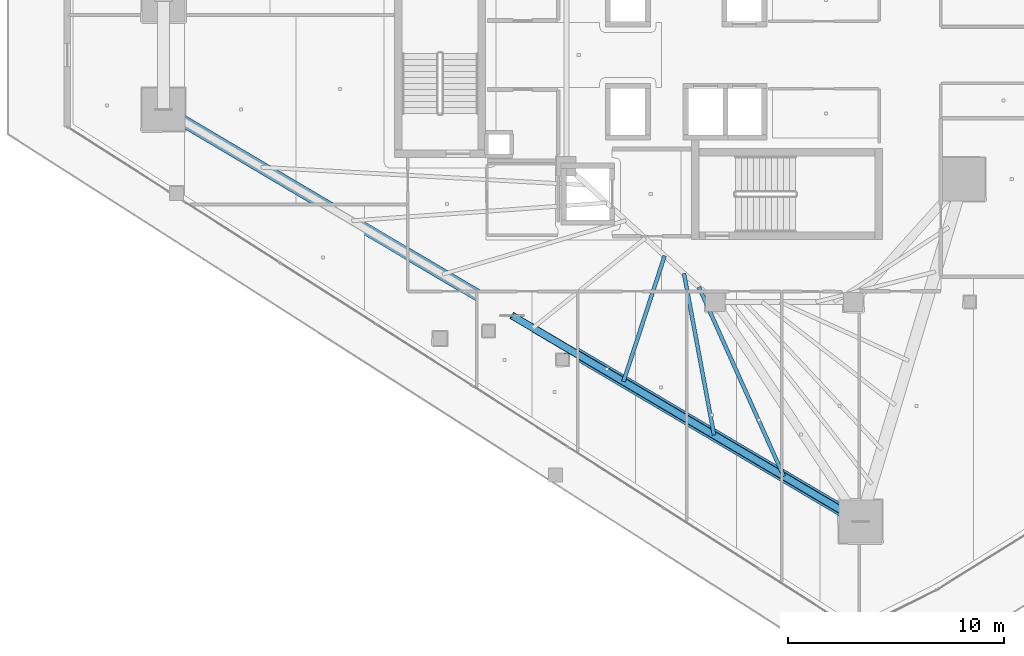
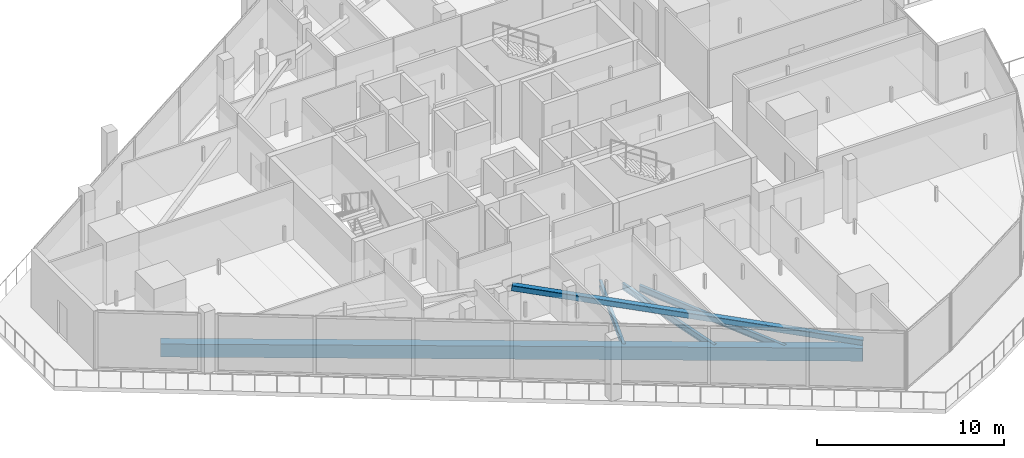
# One storey, part 5 of 43: 4 beams, 1 member.
"""IFC4 building model written with IfcOpenShell, lengths in metres."""

from ifc_helpers import new_model, si_unit, direction, frame, origin, origin_2d, place, context, subcontext, project, spatial, rectangle, hollow_rectangle, i_section, extrude, material, material_profile, profile_set, type_object, element, save


model = new_model("IFC4")

# Units and contexts
model_context = context("Model", 3, precision=1e-05, world=origin(), true_north=direction((0.0, 1.0)))
body_context = subcontext(model_context, "Body", "Model", "MODEL_VIEW")
ifc_project = project(units=[si_unit("LENGTHUNIT", "METRE"), si_unit("AREAUNIT", "SQUARE_METRE"), si_unit("VOLUMEUNIT", "CUBIC_METRE"), si_unit("PLANEANGLEUNIT", "RADIAN"), si_unit("MASSUNIT", "GRAM", prefix="KILO")], contexts=[model_context])

# Site, building, storey
site_placement = place(None, origin())
site = spatial("IfcSite", under=ifc_project, at=site_placement, CompositionType="ELEMENT")
building_placement = place(site_placement, origin())
building = spatial("IfcBuilding", under=site, at=building_placement, Name="Qorvath Tower", CompositionType="ELEMENT")
storey_placement = place(building_placement, frame((0.0, 0.0, 213.14990234375)))
storey = spatial("IfcBuildingStorey", under=building, at=storey_placement, Name="L49", CompositionType="ELEMENT", Elevation=213.14990234375)

# Beams
ifc_material_1 = material(Name="Steel ASTM A992 Grade 50", Category="steel")
ifc_material_profile_1 = material_profile(ifc_material_1, i_section(OverallWidth=0.177978515625, OverallDepth=0.406005859375, WebThickness=0.0078125, FlangeThickness=0.0126953125, FilletRadius=0.010986328125, at=origin_2d()), Name="W16x40")
ifc_profile_set_1 = profile_set([ifc_material_profile_1], Name="Steel ASTM A992 Grade 50")
beam_type_1 = type_object("IfcBeamType", Name="BM-FJ3", PredefinedType="JOIST", material=ifc_profile_set_1)
beam_1_placement = place(storey_placement, frame((-25.946044921875, -9.30810546875, -0.472900390625), z_axis=(-0.311228747452, -0.950335028692, 0.0), x_axis=(0.950335028692, -0.311228747452, 0.0)))
element("IfcBeam", 1, at=beam_1_placement, inside=storey, type_object=beam_type_1, Name="Composite Floor Joist SW5 L49", PredefinedType="JOIST", context=body_context, shape_type="SweptSolid", body=[
    extrude(i_section(OverallWidth=0.177978515625, OverallDepth=0.406005859375, WebThickness=0.0078125, FlangeThickness=0.0126953125, FilletRadius=0.010986328125, at=origin_2d()), origin(), (0.0, 0.0, 1.0), 6.129638671875),
])
beam_2_placement = place(storey_placement, frame((-25.049072265625, -10.126953125, -0.472900390625), z_axis=(0.183026775988, -0.983107928598, 0.0), x_axis=(0.983107928598, 0.183026775988, 0.0)))
element("IfcBeam", 2, at=beam_2_placement, inside=storey, type_object=beam_type_1, Name="Composite Floor Joist SW6 L49", PredefinedType="JOIST", context=body_context, shape_type="SweptSolid", body=[
    extrude(i_section(OverallWidth=0.177978515625, OverallDepth=0.406005859375, WebThickness=0.0078125, FlangeThickness=0.0126953125, FilletRadius=0.010986328125, at=origin_2d()), origin(), (0.0, 0.0, 1.0), 7.617919921875),
])
beam_3_placement = place(storey_placement, frame((-24.35888671875, -10.757080078125, -0.472900390625), z_axis=(0.409327209141, -0.912387656568, 0.0), x_axis=(0.912387656568, 0.409327209141, 0.0)))
element("IfcBeam", 3, at=beam_3_placement, inside=storey, type_object=beam_type_1, Name="Composite Floor Joist SW7 L49", PredefinedType="JOIST", context=body_context, shape_type="SweptSolid", body=[
    extrude(i_section(OverallWidth=0.177978515625, OverallDepth=0.406005859375, WebThickness=0.0078125, FlangeThickness=0.0126953125, FilletRadius=0.010986328125, at=origin_2d()), origin(), (0.0, 0.0, 1.0), 9.611083984375),
])
ifc_material_2 = material(Name="Concrete C50/60", Category="concrete")
ifc_material_profile_2 = material_profile(ifc_material_2, rectangle(XDim=0.550048828125, YDim=0.85009765625, at=origin_2d()), Name="RCB 850x550")
ifc_profile_set_2 = profile_set([ifc_material_profile_2], Name="Concrete C50/60")
beam_type_2 = type_object("IfcBeamType", Name="BM-RCB2", PredefinedType="SPANDREL", material=ifc_profile_set_2)
beam_4_placement = place(storey_placement, frame((-49.171875, -2.52783203125, -0.695068359375), z_axis=(0.860776759786, -0.50898268125, 0.0), x_axis=(0.50898268125, 0.860776759786, 0.0)))
element("IfcBeam", 4, at=beam_4_placement, inside=storey, type_object=beam_type_2, Name="Perimeter Loggia Frame Beam MC2-MC3 L49", PredefinedType="SPANDREL", context=body_context, shape_type="SweptSolid", body=[
    extrude(rectangle(XDim=0.550048828125, YDim=0.85009765625, at=origin_2d()), origin(), (0.0, 0.0, 1.0), 37.524658203125),
])

# Member
ifc_material_3 = material(Name="Steel ASTM A500 Grade C", Category="steel")
ifc_material_profile_3 = material_profile(ifc_material_3, hollow_rectangle(XDim=0.355712890625, YDim=0.355712890625, WallThickness=0.015869140625, InnerFilletRadius=0.015869140625, OuterFilletRadius=0.03173828125, at=origin_2d()), Name="HSS 356x356x16")
ifc_profile_set_3 = profile_set([ifc_material_profile_3], Name="Steel ASTM A500 Grade C")
member_type = type_object("IfcMemberType", Name="MEM-MB2", PredefinedType="BRACE", material=ifc_profile_set_3)
member_placement = place(storey_placement, frame((-16.87158203125, -21.627197265625, 0.0), z_axis=(-0.846741468388, 0.500689925738, 0.179829040973), x_axis=(-0.508987501872, -0.860773909304, 0.0)))
element("IfcMember", 5, at=member_placement, inside=storey, type_object=member_type, Name="Perimeter Chevron Brace L49-2B", PredefinedType="BRACE", context=body_context, shape_type="SweptSolid", body=[
    extrude(hollow_rectangle(XDim=0.355712890625, YDim=0.355712890625, WallThickness=0.015869140625, InnerFilletRadius=0.015869140625, OuterFilletRadius=0.03173828125, at=origin_2d()), origin(), (0.0, 0.0, 1.0), 19.0732421875),
])

save(model, "model.ifc")
